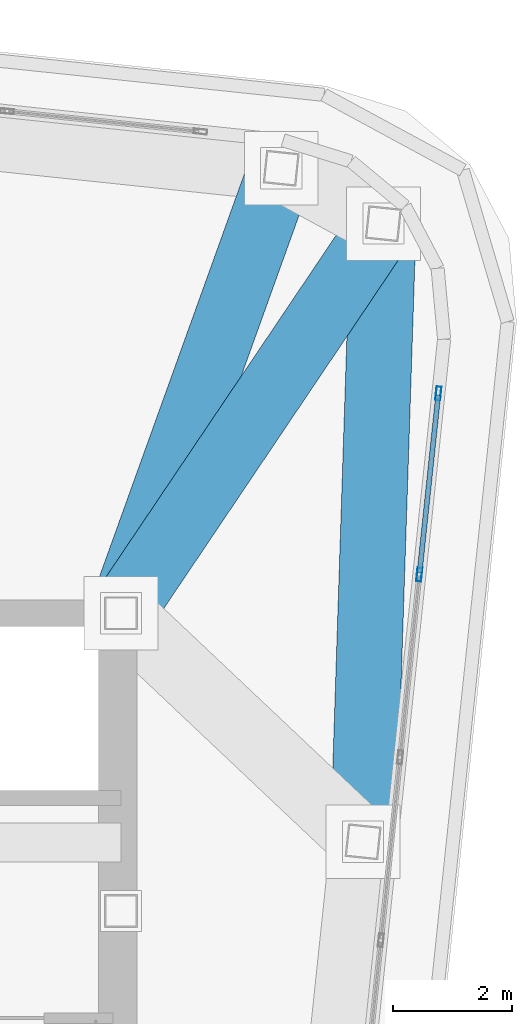
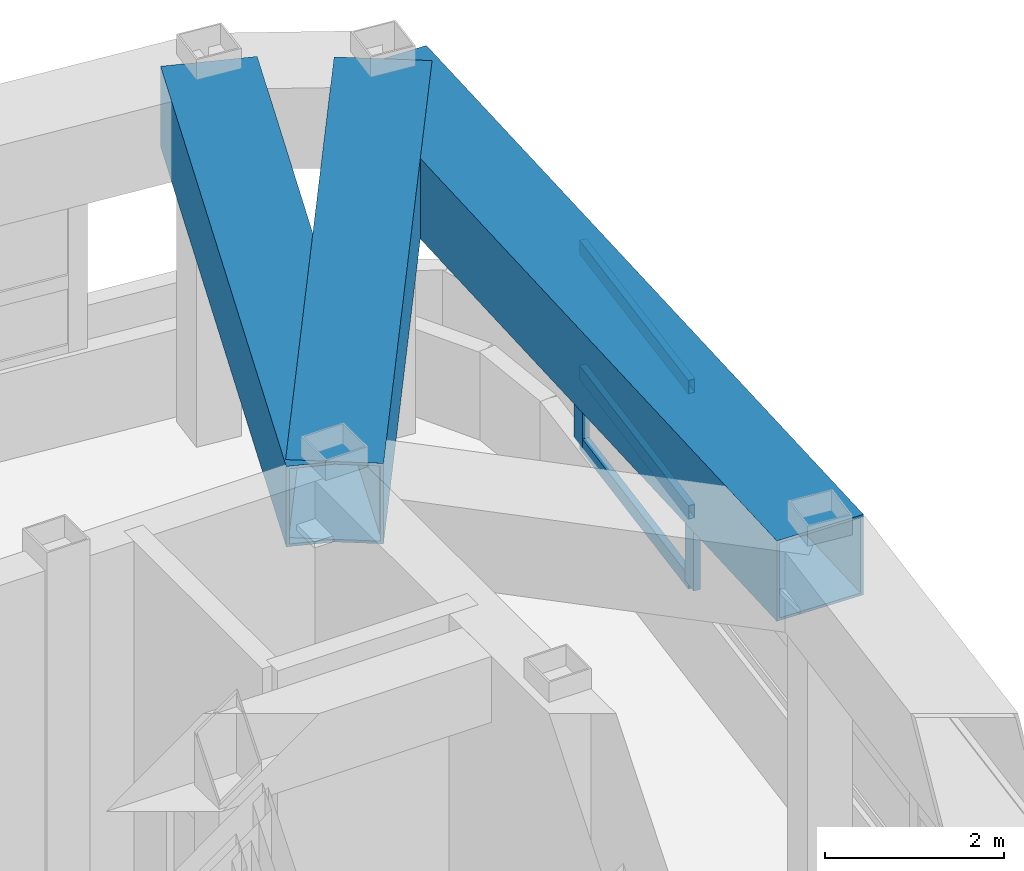
# One storey, part 12 of 22: 5 members, 3 beams, 1 element without a shape of its own.
"""IFC4 building model written with IfcOpenShell, lengths in metres."""

from ifc_helpers import new_model, si_unit, direction, frame, origin, origin_2d, place, context, subcontext, project, spatial, hollow_rectangle, extrude, material, layer, layer_set, material_profile, profile_set, type_object, element, aggregate, save


model = new_model("IFC4")

# Units and contexts
model_context = context("Model", 3, precision=1e-05, world=origin(), true_north=direction((0.0, 1.0)))
body_context = subcontext(model_context, "Body", "Model", "MODEL_VIEW")
ifc_project = project(units=[si_unit("LENGTHUNIT", "METRE"), si_unit("AREAUNIT", "SQUARE_METRE"), si_unit("VOLUMEUNIT", "CUBIC_METRE"), si_unit("PLANEANGLEUNIT", "RADIAN"), si_unit("MASSUNIT", "GRAM", prefix="KILO")], contexts=[model_context])

# Site, building, storey
site_placement = place(None, origin())
site = spatial("IfcSite", under=ifc_project, at=site_placement, CompositionType="ELEMENT")
building_placement = place(site_placement, origin())
building = spatial("IfcBuilding", under=site, at=building_placement, Name="Voryun Gate Residences", CompositionType="ELEMENT")
storey_placement = place(building_placement, frame((0.0, 0.0, 310.699951171875)))
storey = spatial("IfcBuildingStorey", under=building, at=storey_placement, Name="L77", CompositionType="ELEMENT", Elevation=310.699951171875)

# Beams
ifc_material_1 = material(Name="Steel SM420", Category="steel")
ifc_material_profile_1 = material_profile(ifc_material_1, hollow_rectangle(XDim=1.10009765625, YDim=1.10009765625, WallThickness=0.035888671875, at=origin_2d()), Name="BOX-1100x1100x36")
ifc_profile_set_1 = profile_set([ifc_material_profile_1], Name="Steel SM420")
beam_type = type_object("IfcBeamType", Name="BM_ARCH_RIB", PredefinedType="USERDEFINED", material=ifc_profile_set_1)
beam_1_placement = place(storey_placement, frame((23.263916015625, 3.56201171875, 4.47509765625), z_axis=(0.032727694972, 0.999464305507, 0.0), x_axis=(-0.999464305507, 0.032727694972, 0.0)))
element("IfcBeam", 1, at=beam_1_placement, inside=storey, type_object=beam_type, Name="BM-L77-SPAND-09", ObjectType="GIRDER", PredefinedType="USERDEFINED", context=body_context, shape_type="SweptSolid", body=[
    extrude(hollow_rectangle(XDim=1.10009765625, YDim=1.10009765625, WallThickness=0.035888671875, at=origin_2d()), origin(), (0.0, 0.0, 1.0), 10.384033203125),
])
beam_2_placement = place(storey_placement, frame((19.199951171875, 7.39990234375, 4.47509765625), z_axis=(0.558509953657, 0.829497818964, 0.0), x_axis=(-0.829497818964, 0.558509953657, 0.0)))
element("IfcBeam", 2, at=beam_2_placement, inside=storey, type_object=beam_type, Name="BM-L77-RAD-CNE", ObjectType="GIRDER", PredefinedType="USERDEFINED", context=body_context, shape_type="SweptSolid", body=[
    extrude(hollow_rectangle(XDim=1.10009765625, YDim=1.10009765625, WallThickness=0.035888671875, at=origin_2d()), origin(), (0.0, 0.0, 1.0), 7.885009765625),
])
beam_3_placement = place(storey_placement, frame((19.199951171875, 7.39990234375, 4.47509765625), z_axis=(0.338588822794, 0.940934433996, 0.0), x_axis=(-0.940934433996, 0.338588822794, 0.0)))
element("IfcBeam", 3, at=beam_3_placement, inside=storey, type_object=beam_type, Name="BM-L77-RAD-N1", ObjectType="GIRDER", PredefinedType="USERDEFINED", context=body_context, shape_type="SweptSolid", body=[
    extrude(hollow_rectangle(XDim=1.10009765625, YDim=1.10009765625, WallThickness=0.035888671875, at=origin_2d()), origin(), (0.0, 0.0, 1.0), 7.94091796875),
])

# Curtain wall, members
ifc_material_2 = material(Name="Anodised aluminium", Category="aluminium")
ifc_layer = layer(ifc_material_2, 0.22998046875, Name="CW_SYS_LANTERN_DARK_GLASS")
ifc_layer_set = layer_set([ifc_layer], Name="Anodised aluminium")
curtain_wall_type = type_object("IfcCurtainWallType", Name="CW_SYS_LANTERN_DARK_GLASS", PredefinedType="NOTDEFINED", material=ifc_layer_set)
curtain_wall_placement = place(storey_placement, origin())
curtain_wall = element("IfcCurtainWall", 4, at=curtain_wall_placement, inside=storey, type_object=curtain_wall_type, Name="Curtain wall CW6-L77-16", PredefinedType="NOTDEFINED")
ifc_material_3 = material(Name="Anodised aluminium", Category="aluminium")
ifc_material_profile_2 = material_profile(ifc_material_3, hollow_rectangle(XDim=0.0849609375, YDim=0.22998046875, WallThickness=0.006103515625, at=origin_2d()), Name="ALU-MULL-230x85x6")
ifc_profile_set_2 = profile_set([ifc_material_profile_2], Name="Anodised aluminium")
member_type_1 = type_object("IfcMemberType", Name="CW_MULL_LANT", PredefinedType="MULLION", material=ifc_profile_set_2)
member_1_placement = place(storey_placement, frame((24.52783203125, 11.090576171875, 1.18994140625), z_axis=(0.0, 0.0, 1.0), x_axis=(0.994521943608, -0.104528004296, 0.0)))
member_1 = element("IfcMember", 5, at=member_1_placement, type_object=member_type_1, Name="CW6 mullion 1", PredefinedType="MULLION", context=body_context, shape_type="SweptSolid", body=[
    extrude(hollow_rectangle(XDim=0.0849609375, YDim=0.22998046875, WallThickness=0.006103515625, at=origin_2d()), origin(), (0.0, 0.0, 1.0), 2.72509765625),
])
member_2_placement = place(storey_placement, frame((24.208251953125, 8.04931640625, 1.18994140625), z_axis=(0.0, 0.0, 1.0), x_axis=(0.994521943608, -0.104528004296, 0.0)))
member_2 = element("IfcMember", 6, at=member_2_placement, type_object=member_type_1, Name="CW6 mullion 2", PredefinedType="MULLION", context=body_context, shape_type="SweptSolid", body=[
    extrude(hollow_rectangle(XDim=0.0849609375, YDim=0.22998046875, WallThickness=0.006103515625, at=origin_2d()), origin(), (0.0, 0.0, 1.0), 2.72509765625),
])
ifc_material_4 = material(Name="Anodised aluminium", Category="aluminium")
ifc_material_profile_3 = material_profile(ifc_material_4, hollow_rectangle(XDim=0.0849609375, YDim=0.18994140625, WallThickness=0.006103515625, at=origin_2d()), Name="ALU-TRAN-190x85x6")
ifc_profile_set_3 = profile_set([ifc_material_profile_3], Name="Anodised aluminium")
member_type_2 = type_object("IfcMemberType", Name="CW_TRAN_LANT", PredefinedType="USERDEFINED", material=ifc_profile_set_3)
member_3_placement = place(storey_placement, frame((24.524658203125, 11.060546875, 1.219970703125), z_axis=(-0.104485537102, -0.994526406153, 0.0), x_axis=(0.994526406153, -0.104485537102, 0.0)))
member_3 = element("IfcMember", 7, at=member_3_placement, type_object=member_type_2, Name="CW6 transom 1.1", ObjectType="TRANSOM", PredefinedType="USERDEFINED", context=body_context, shape_type="SweptSolid", body=[
    extrude(hollow_rectangle(XDim=0.0849609375, YDim=0.18994140625, WallThickness=0.006103515625, at=origin_2d()), origin(), (0.0, 0.0, 1.0), 2.997802734375),
])
member_4_placement = place(storey_placement, frame((24.524658203125, 11.060546875, 2.171142578125), z_axis=(-0.104485537102, -0.994526406153, 0.0), x_axis=(0.994526406153, -0.104485537102, 0.0)))
member_4 = element("IfcMember", 8, at=member_4_placement, type_object=member_type_2, Name="CW6 transom 1.2", ObjectType="TRANSOM", PredefinedType="USERDEFINED", context=body_context, shape_type="SweptSolid", body=[
    extrude(hollow_rectangle(XDim=0.0849609375, YDim=0.18994140625, WallThickness=0.006103515625, at=origin_2d()), origin(), (0.0, 0.0, 1.0), 2.997802734375),
])
member_5_placement = place(storey_placement, frame((24.524658203125, 11.060546875, 3.885009765625), z_axis=(-0.104485537102, -0.994526406153, 0.0), x_axis=(0.994526406153, -0.104485537102, 0.0)))
member_5 = element("IfcMember", 9, at=member_5_placement, type_object=member_type_2, Name="CW6 transom 1.3", ObjectType="TRANSOM", PredefinedType="USERDEFINED", context=body_context, shape_type="SweptSolid", body=[
    extrude(hollow_rectangle(XDim=0.0849609375, YDim=0.18994140625, WallThickness=0.006103515625, at=origin_2d()), origin(), (0.0, 0.0, 1.0), 2.997802734375),
])
aggregate(curtain_wall, [member_1, member_2, member_3, member_4, member_5])

save(model, "model.ifc")
